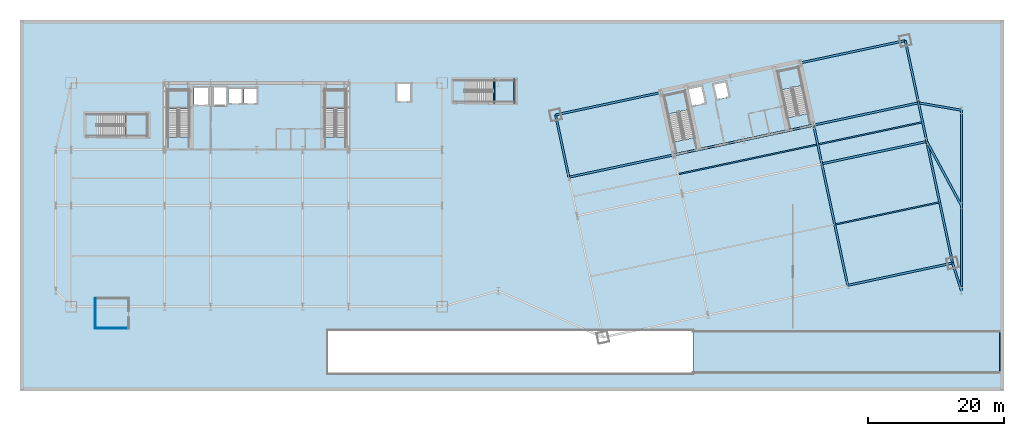
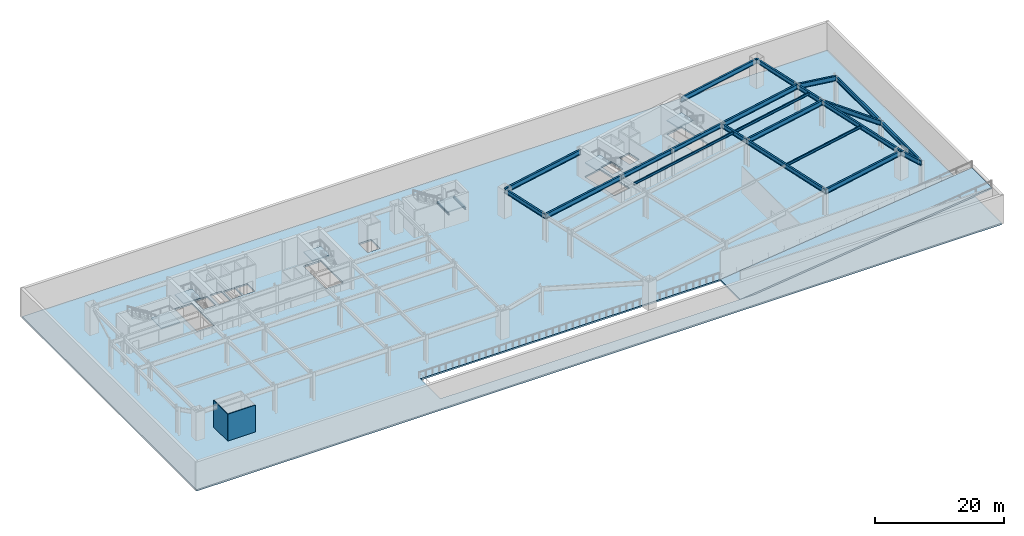
# One storey, part 4 of 16: 24 beams, 8 slabs, 2 walls, 6 elements without a shape of their own.
"""IFC4 building model written with IfcOpenShell, lengths in metres."""

from ifc_helpers import new_model, si_unit, direction, frame, frame_2d, origin, origin_2d, place, context, subcontext, project, spatial, polyline, rectangle, i_section, outline, extrude, material, layer, layer_set, material_profile, profile_set, type_object, element, aggregate, save


model = new_model("IFC4")

# Units and contexts
model_context = context("Model", 3, precision=1e-05, world=origin(), true_north=direction((0.0, 1.0)))
body_context = subcontext(model_context, "Body", "Model", "MODEL_VIEW")
ifc_project = project(units=[si_unit("LENGTHUNIT", "METRE"), si_unit("AREAUNIT", "SQUARE_METRE"), si_unit("VOLUMEUNIT", "CUBIC_METRE"), si_unit("PLANEANGLEUNIT", "RADIAN"), si_unit("MASSUNIT", "GRAM", prefix="KILO")], contexts=[model_context])

# Site, building, storey
site_placement = place(None, origin())
site = spatial("IfcSite", under=ifc_project, at=site_placement, CompositionType="ELEMENT")
building_placement = place(site_placement, origin())
building = spatial("IfcBuilding", under=site, at=building_placement, Name="Haevon Station Towers", CompositionType="ELEMENT")
storey_placement = place(building_placement, frame((0.0, 0.0, -5.39990234375)))
storey = spatial("IfcBuildingStorey", under=building, at=storey_placement, Name="B01", CompositionType="ELEMENT", Elevation=-5.39990234375)

# Beams
ifc_material_1 = material(Name="Steel S355", Category="steel")
ifc_material_profile_1 = material_profile(ifc_material_1, i_section(OverallWidth=0.199951171875, OverallDepth=0.449951171875, WebThickness=0.009033203125, FlangeThickness=0.013916015625, at=origin_2d()), Name="H-450x200x9x14")
ifc_profile_set_1 = profile_set([ifc_material_profile_1], Name="Steel S355")
beam_type_1 = type_object("IfcBeamType", Name="BM-J450", PredefinedType="JOIST", material=ifc_profile_set_1)
beam_1_placement = place(storey_placement, frame((122.504150390625, 27.232666015625, 4.875), z_axis=(0.978149141128, 0.207904443699, 0.0), x_axis=(-0.207904443699, 0.978149141128, 0.0)))
element("IfcBeam", 1, at=beam_1_placement, inside=storey, type_object=beam_type_1, Name="BM-T2J-B01-01-03", PredefinedType="JOIST", context=body_context, shape_type="SweptSolid", body=[
    extrude(i_section(OverallWidth=0.199951171875, OverallDepth=0.449951171875, WebThickness=0.009033203125, FlangeThickness=0.013916015625, at=origin_2d()), origin(), (0.0, 0.0, 1.0), 15.530029296875),
])
beam_2_placement = place(storey_placement, frame((99.462890625, 34.628662109375, 4.875), z_axis=(0.978148548197, 0.207907233306, 0.0), x_axis=(-0.207907233306, 0.978148548197, 0.0)))
element("IfcBeam", 2, at=beam_2_placement, inside=storey, type_object=beam_type_1, Name="BM-T2J-B01-02-02", PredefinedType="JOIST", context=body_context, shape_type="SweptSolid", body=[
    extrude(i_section(OverallWidth=0.199951171875, OverallDepth=0.449951171875, WebThickness=0.009033203125, FlangeThickness=0.013916015625, at=origin_2d()), origin(), (0.0, 0.0, 1.0), 20.780029296875),
])
beam_3_placement = place(storey_placement, frame((120.00390625, 38.994873046875, 4.875), z_axis=(0.978149141128, 0.207904443699, 0.0), x_axis=(-0.207904443699, 0.978149141128, 0.0)))
element("IfcBeam", 3, at=beam_3_placement, inside=storey, type_object=beam_type_1, Name="BM-T2J-B01-02-03", PredefinedType="JOIST", context=body_context, shape_type="SweptSolid", body=[
    extrude(i_section(OverallWidth=0.199951171875, OverallDepth=0.449951171875, WebThickness=0.009033203125, FlangeThickness=0.013916015625, at=origin_2d()), origin(), (0.0, 0.0, 1.0), 15.530029296875),
])
ifc_material_profile_2 = material_profile(ifc_material_1, i_section(OverallWidth=0.14990234375, OverallDepth=0.300048828125, WebThickness=0.006591796875, FlangeThickness=0.009033203125, at=origin_2d()), Name="H-300x150x6.5x9")
ifc_profile_set_2 = profile_set([ifc_material_profile_2], Name="Steel S355")
beam_type_2 = type_object("IfcBeamType", Name="BM-LIN300", PredefinedType="LINTEL", material=ifc_profile_set_2)
for number, where, z_axis, x_axis, name in (
    (4, (72.3740234375, 45.0, 2.349853515625), (0.0, 1.0, 0.0), (-1.0, 0.0, 0.0), "BM-ST6L-B01-1-W"),
    (5, (75.320068359375, 45.0, 2.349853515625), (0.0, 1.0, 0.0), (-1.0, 0.0, 0.0), "BM-ST6L-B01-1-E"),
):
    element("IfcBeam", number, at=place(storey_placement, frame(where, z_axis=z_axis, x_axis=x_axis)), inside=storey, type_object=beam_type_2, Name=name, PredefinedType="LINTEL", context=body_context, shape_type="SweptSolid", body=[
        extrude(i_section(OverallWidth=0.14990234375, OverallDepth=0.300048828125, WebThickness=0.006591796875, FlangeThickness=0.009033203125, at=origin_2d()), origin(), (0.0, 0.0, 1.0), 3.60009765625),
    ])
ifc_material_profile_3 = material_profile(ifc_material_1, i_section(OverallWidth=0.300048828125, OverallDepth=0.800048828125, WebThickness=0.013916015625, FlangeThickness=0.02587890625, at=origin_2d()), Name="H-800x300x14x26")
ifc_profile_set_3 = profile_set([ifc_material_profile_3], Name="Steel S355")
beam_type_3 = type_object("IfcBeamType", Name="BM-PG800", PredefinedType="BEAM", material=ifc_profile_set_3)
for number, where, z_axis, x_axis, name in (
    (6, (98.75244140625, 37.4423828125, 4.699951171875), (0.978146794194, 0.207915485254, 0.0), (-0.207915485254, 0.978146794194, 0.0), "BM-T2U-B01-03-02"),
    (7, (109.02294921875, 39.62548828125, 4.699951171875), (0.978146794194, 0.207915485254, 0.0), (-0.207915485254, 0.978146794194, 0.0), "BM-T2U-B01-03-03"),
):
    element("IfcBeam", number, at=place(storey_placement, frame(where, z_axis=z_axis, x_axis=x_axis)), inside=storey, type_object=beam_type_3, Name=name, PredefinedType="BEAM", context=body_context, shape_type="SweptSolid", body=[
        extrude(i_section(OverallWidth=0.300048828125, OverallDepth=0.800048828125, WebThickness=0.013916015625, FlangeThickness=0.02587890625, at=origin_2d()), origin(), (0.0, 0.0, 1.0), 10.5),
    ])
beam_4_placement = place(storey_placement, frame((83.346435546875, 34.167724609375, 4.699951171875), z_axis=(-0.207897167074, 0.978150687738, 0.0), x_axis=(-0.978150687738, -0.207897167074, 0.0)))
element("IfcBeam", 8, at=beam_4_placement, inside=storey, type_object=beam_type_3, Name="BM-T2V-B01-01-03", PredefinedType="BEAM", context=body_context, shape_type="SweptSolid", body=[
    extrude(i_section(OverallWidth=0.300048828125, OverallDepth=0.800048828125, WebThickness=0.013916015625, FlangeThickness=0.02587890625, at=origin_2d()), origin(), (0.0, 0.0, 1.0), 9.35009765625),
])
beam_5_placement = place(storey_placement, frame((124.293701171875, 18.2841796875, 4.699951171875), z_axis=(-0.207915393978, 0.978146813595, 0.0), x_axis=(-0.978146813595, -0.207915393978, 0.0)))
element("IfcBeam", 9, at=beam_5_placement, inside=storey, type_object=beam_type_3, Name="BM-T2V-B01-04-01", PredefinedType="BEAM", context=body_context, shape_type="SweptSolid", body=[
    extrude(i_section(OverallWidth=0.300048828125, OverallDepth=0.800048828125, WebThickness=0.013916015625, FlangeThickness=0.02587890625, at=origin_2d()), origin(), (0.0, 0.0, 1.0), 18.25),
])
beam_6_placement = place(storey_placement, frame((120.499267578125, 36.13525390625, 4.699951171875), z_axis=(-0.207896009217, 0.97815093383, 0.0), x_axis=(-0.97815093383, -0.207896009217, 0.0)))
element("IfcBeam", 10, at=beam_6_placement, inside=storey, type_object=beam_type_3, Name="BM-T2V-B01-04-02", PredefinedType="BEAM", context=body_context, shape_type="SweptSolid", body=[
    extrude(i_section(OverallWidth=0.300048828125, OverallDepth=0.800048828125, WebThickness=0.013916015625, FlangeThickness=0.02587890625, at=origin_2d()), origin(), (0.0, 0.0, 1.0), 5.800048828125),
])
beam_7_placement = place(storey_placement, frame((139.699462890625, 21.558837890625, 4.699951171875), z_axis=(-0.207902594577, 0.978149534155, 0.0), x_axis=(-0.978149534155, -0.207902594577, 0.0)))
element("IfcBeam", 11, at=beam_7_placement, inside=storey, type_object=beam_type_3, Name="BM-T2V-B01-05-01", PredefinedType="BEAM", context=body_context, shape_type="SweptSolid", body=[
    extrude(i_section(OverallWidth=0.300048828125, OverallDepth=0.800048828125, WebThickness=0.013916015625, FlangeThickness=0.02587890625, at=origin_2d()), origin(), (0.0, 0.0, 1.0), 18.249755859375),
])
beam_8_placement = place(storey_placement, frame((135.9052734375, 39.409912109375, 4.699951171875), z_axis=(-0.207936282142, 0.978142373363, 0.0), x_axis=(-0.978142373363, -0.207936282142, 0.0)))
element("IfcBeam", 12, at=beam_8_placement, inside=storey, type_object=beam_type_3, Name="BM-T2V-B01-05-02", PredefinedType="BEAM", context=body_context, shape_type="SweptSolid", body=[
    extrude(i_section(OverallWidth=0.300048828125, OverallDepth=0.800048828125, WebThickness=0.013916015625, FlangeThickness=0.02587890625, at=origin_2d()), origin(), (0.0, 0.0, 1.0), 5.800048828125),
])
beam_9_placement = place(storey_placement, frame((134.69921875, 45.083251953125, 4.699951171875), z_axis=(-0.207902477038, 0.978149559138, 0.0), x_axis=(-0.978149559138, -0.207902477038, 0.0)))
element("IfcBeam", 13, at=beam_9_placement, inside=storey, type_object=beam_type_3, Name="BM-T2V-B01-05-03", PredefinedType="BEAM", context=body_context, shape_type="SweptSolid", body=[
    extrude(i_section(OverallWidth=0.300048828125, OverallDepth=0.800048828125, WebThickness=0.013916015625, FlangeThickness=0.02587890625, at=origin_2d()), origin(), (0.0, 0.0, 1.0), 9.349853515625),
])
beam_10_placement = place(storey_placement, frame((141.0, 17.5, 4.699951171875), z_axis=(0.0, 1.0, 0.0), x_axis=(-1.0, 0.0, 0.0)))
element("IfcBeam", 14, at=beam_10_placement, inside=storey, type_object=beam_type_3, Name="BM-PODNS-B01-E1", PredefinedType="BEAM", context=body_context, shape_type="SweptSolid", body=[
    extrude(i_section(OverallWidth=0.300048828125, OverallDepth=0.800048828125, WebThickness=0.013916015625, FlangeThickness=0.02587890625, at=origin_2d()), origin(), (0.0, 0.0, 1.0), 12.5),
])
beam_11_placement = place(storey_placement, frame((141.0, 30.0, 4.699951171875), z_axis=(0.0, 1.0, 0.0), x_axis=(-1.0, 0.0, 0.0)))
element("IfcBeam", 15, at=beam_11_placement, inside=storey, type_object=beam_type_3, Name="BM-PODNS-B01-E2", PredefinedType="BEAM", context=body_context, shape_type="SweptSolid", body=[
    extrude(i_section(OverallWidth=0.300048828125, OverallDepth=0.800048828125, WebThickness=0.013916015625, FlangeThickness=0.02587890625, at=origin_2d()), origin(), (0.0, 0.0, 1.0), 14.0),
])
ifc_material_profile_4 = material_profile(ifc_material_1, i_section(OverallWidth=0.300048828125, OverallDepth=0.89990234375, WebThickness=0.01611328125, FlangeThickness=0.028076171875, at=origin_2d()), Name="H-900x300x16x28")
ifc_profile_set_4 = profile_set([ifc_material_profile_4], Name="Steel S355")
beam_type_4 = type_object("IfcBeamType", Name="BM-PG900", PredefinedType="BEAM", material=ifc_profile_set_4)
beam_12_placement = place(storey_placement, frame((124.293701171875, 18.2841796875, 4.64990234375), z_axis=(0.978146794194, 0.207915485254, 0.0), x_axis=(-0.207915485254, 0.978146794194, 0.0)))
element("IfcBeam", 16, at=beam_12_placement, inside=storey, type_object=beam_type_4, Name="BM-T2U-B01-01-04", PredefinedType="BEAM", context=body_context, shape_type="SweptSolid", body=[
    extrude(i_section(OverallWidth=0.300048828125, OverallDepth=0.89990234375, WebThickness=0.01611328125, FlangeThickness=0.028076171875, at=origin_2d()), origin(), (0.0, 0.0, 1.0), 15.75),
])
for number, where, z_axis, x_axis, name in (
    (17, (120.499267578125, 36.13525390625, 4.64990234375), (0.978147464271, 0.207912332825, 0.0), (-0.207912332825, 0.978147464271, 0.0), "BM-T2U-B01-02-04"),
    (18, (83.346435546875, 34.167724609375, 4.64990234375), (0.978147464271, 0.207912332825, 0.0), (-0.207912332825, 0.978147464271, 0.0), "BM-T2U-B01-03-01"),
):
    element("IfcBeam", number, at=place(storey_placement, frame(where, z_axis=z_axis, x_axis=x_axis)), inside=storey, type_object=beam_type_4, Name=name, PredefinedType="BEAM", context=body_context, shape_type="SweptSolid", body=[
        extrude(i_section(OverallWidth=0.300048828125, OverallDepth=0.89990234375, WebThickness=0.01611328125, FlangeThickness=0.028076171875, at=origin_2d()), origin(), (0.0, 0.0, 1.0), 15.750244140625),
    ])
for number, where, z_axis, x_axis, name in (
    (19, (119.29345703125, 41.80859375, 4.64990234375), (0.978146794194, 0.207915485254, 0.0), (-0.207915485254, 0.978146794194, 0.0), "BM-T2U-B01-03-04"),
    (20, (81.402587890625, 43.3134765625, 4.64990234375), (0.978146794194, 0.207915485254, 0.0), (-0.207915485254, 0.978146794194, 0.0), "BM-T2U-B01-04-01"),
):
    element("IfcBeam", number, at=place(storey_placement, frame(where, z_axis=z_axis, x_axis=x_axis)), inside=storey, type_object=beam_type_4, Name=name, PredefinedType="BEAM", context=body_context, shape_type="SweptSolid", body=[
        extrude(i_section(OverallWidth=0.300048828125, OverallDepth=0.89990234375, WebThickness=0.01611328125, FlangeThickness=0.028076171875, at=origin_2d()), origin(), (0.0, 0.0, 1.0), 15.75),
    ])
beam_13_placement = place(storey_placement, frame((117.349365234375, 50.954345703125, 4.64990234375), z_axis=(0.978150616551, 0.207897502008, 0.0), x_axis=(-0.207897502008, 0.978150616551, 0.0)))
element("IfcBeam", 21, at=beam_13_placement, inside=storey, type_object=beam_type_4, Name="BM-T2U-B01-04-04", PredefinedType="BEAM", context=body_context, shape_type="SweptSolid", body=[
    extrude(i_section(OverallWidth=0.300048828125, OverallDepth=0.89990234375, WebThickness=0.01611328125, FlangeThickness=0.028076171875, at=origin_2d()), origin(), (0.0, 0.0, 1.0), 15.750244140625),
])
beam_14_placement = place(storey_placement, frame((139.699462890625, 21.558837890625, 4.64990234375), z_axis=(0.305139430983, -0.952307685393, 0.0), x_axis=(0.952307685393, 0.305139430983, 0.0)))
element("IfcBeam", 22, at=beam_14_placement, inside=storey, type_object=beam_type_4, Name="BM-PODE-B01-1", PredefinedType="BEAM", context=body_context, shape_type="SweptSolid", body=[
    extrude(i_section(OverallWidth=0.300048828125, OverallDepth=0.89990234375, WebThickness=0.01611328125, FlangeThickness=0.028076171875, at=origin_2d()), origin(), (0.0, 0.0, 1.0), 4.26220703125),
])
beam_15_placement = place(storey_placement, frame((135.9052734375, 39.409912109375, 4.64990234375), z_axis=(0.476116295025, -0.879382325051, 0.0), x_axis=(0.879382325051, 0.476116295025, 0.0)))
element("IfcBeam", 23, at=beam_15_placement, inside=storey, type_object=beam_type_4, Name="BM-PODE-B01-2", PredefinedType="BEAM", context=body_context, shape_type="SweptSolid", body=[
    extrude(i_section(OverallWidth=0.300048828125, OverallDepth=0.89990234375, WebThickness=0.01611328125, FlangeThickness=0.028076171875, at=origin_2d()), origin(), (0.0, 0.0, 1.0), 10.70068359375),
])
beam_16_placement = place(storey_placement, frame((134.69921875, 45.083251953125, 4.64990234375), z_axis=(0.985540920751, -0.169437580028, 0.0), x_axis=(0.169437580028, 0.985540920751, 0.0)))
element("IfcBeam", 24, at=beam_16_placement, inside=storey, type_object=beam_type_4, Name="BM-PODE-B01-3", PredefinedType="BEAM", context=body_context, shape_type="SweptSolid", body=[
    extrude(i_section(OverallWidth=0.300048828125, OverallDepth=0.89990234375, WebThickness=0.01611328125, FlangeThickness=0.028076171875, at=origin_2d()), origin(), (0.0, 0.0, 1.0), 6.393310546875),
])

# Stair, slab
ifc_material_2 = material(Name="Concrete C40/50", Category="concrete")
stair_type_1 = type_object("IfcStairType", Name="STR-DL1450", PredefinedType="USERDEFINED", material=ifc_material_2)
stair_1_placement = place(storey_placement, origin())
stair_1 = element("IfcStair", 25, at=stair_1_placement, inside=storey, type_object=stair_type_1, Name="B01 Escape Stair ST1", ObjectType="TWO_RETURN_STAIR", PredefinedType="USERDEFINED")
ifc_layer_1 = layer(ifc_material_2, 0.199951171875)
ifc_layer_set_1 = layer_set([ifc_layer_1], Name="Concrete C40/50")
slab_type_1 = type_object("IfcSlabType", Name="SL-LND200", PredefinedType="LANDING", material=ifc_layer_set_1)
slab_1_placement = place(storey_placement, frame((0.0, 0.0, 2.5)))
slab_1 = element("IfcSlab", 26, at=slab_1_placement, type_object=slab_type_1, Name="B01 ST1 Half Landing 1", PredefinedType="LANDING", context=body_context, shape_type="SweptSolid", body=[
    extrude(outline(polyline([(27.580078125, 44.243896484375), (27.580078125, 47.0), (24.47998046875, 47.0), (24.47998046875, 44.243896484375), (27.580078125, 44.243896484375)])), origin(), (0.0, 0.0, 1.0), 0.199951171875),
])
aggregate(stair_1, [slab_1])

stair_2_placement = place(storey_placement, origin())
stair_2 = element("IfcStair", 27, at=stair_2_placement, inside=storey, type_object=stair_type_1, Name="B01 Escape Stair ST2", ObjectType="TWO_RETURN_STAIR", PredefinedType="USERDEFINED")
slab_2_placement = place(storey_placement, frame((0.0, 0.0, 2.5)))
slab_2 = element("IfcSlab", 28, at=slab_2_placement, type_object=slab_type_1, Name="B01 ST2 Half Landing 1", PredefinedType="LANDING", context=body_context, shape_type="SweptSolid", body=[
    extrude(outline(polyline([(50.6201171875, 44.243896484375), (50.6201171875, 47.0), (47.52001953125, 47.0), (47.52001953125, 44.243896484375), (50.6201171875, 44.243896484375)])), origin(), (0.0, 0.0, 1.0), 0.199951171875),
])
aggregate(stair_2, [slab_2])

stair_3_placement = place(storey_placement, origin())
stair_3 = element("IfcStair", 29, at=stair_3_placement, inside=storey, type_object=stair_type_1, Name="B01 Escape Stair ST3", ObjectType="TWO_RETURN_STAIR", PredefinedType="USERDEFINED")
slab_3_placement = place(storey_placement, frame((0.0, 0.0, 2.5)))
slab_3 = element("IfcSlab", 30, at=slab_3_placement, type_object=slab_type_1, Name="B01 ST3 Half Landing 1", PredefinedType="LANDING", context=body_context, shape_type="SweptSolid", body=[
    extrude(outline(polyline([(100.938720703125, 44.086181640625), (100.36572265625, 46.781982421875), (97.33349609375, 46.137451171875), (97.906494140625, 43.441650390625), (100.938720703125, 44.086181640625)])), origin(), (0.0, 0.0, 1.0), 0.199951171875),
])
aggregate(stair_3, [slab_3])

stair_4_placement = place(storey_placement, origin())
stair_4 = element("IfcStair", 31, at=stair_4_placement, inside=storey, type_object=stair_type_1, Name="B01 Escape Stair ST4", ObjectType="TWO_RETURN_STAIR", PredefinedType="USERDEFINED")
slab_4_placement = place(storey_placement, frame((0.0, 0.0, 2.5)))
slab_4 = element("IfcSlab", 32, at=slab_4_placement, type_object=slab_type_1, Name="B01 ST4 Half Landing 1", PredefinedType="LANDING", context=body_context, shape_type="SweptSolid", body=[
    extrude(outline(polyline([(117.6259765625, 47.633056640625), (117.052978515625, 50.328857421875), (114.020751953125, 49.684326171875), (114.59375, 46.988525390625), (117.6259765625, 47.633056640625)])), origin(), (0.0, 0.0, 1.0), 0.199951171875),
])
aggregate(stair_4, [slab_4])

stair_type_2 = type_object("IfcStairType", Name="STR-DL1500", PredefinedType="USERDEFINED", material=ifc_material_2)
stair_5_placement = place(storey_placement, origin())
stair_5 = element("IfcStair", 33, at=stair_5_placement, inside=storey, type_object=stair_type_2, Name="B01 Escape Stair ST5", ObjectType="TWO_RETURN_STAIR", PredefinedType="USERDEFINED")
slab_5_placement = place(storey_placement, frame((0.0, 0.0, 2.5)))
slab_5 = element("IfcSlab", 34, at=slab_5_placement, type_object=slab_type_1, Name="B01 ST5 Half Landing 1", PredefinedType="LANDING", context=body_context, shape_type="SweptSolid", body=[
    extrude(outline(polyline([(18.194091796875, 40.199951171875), (21.5, 40.199951171875), (21.5, 43.39990234375), (18.194091796875, 43.39990234375), (18.194091796875, 40.199951171875)])), origin(), (0.0, 0.0, 1.0), 0.199951171875),
])
aggregate(stair_5, [slab_5])

stair_6_placement = place(storey_placement, origin())
stair_6 = element("IfcStair", 35, at=stair_6_placement, inside=storey, type_object=stair_type_2, Name="B01 Escape Stair ST6", ObjectType="TWO_RETURN_STAIR", PredefinedType="USERDEFINED")
slab_6_placement = place(storey_placement, frame((0.0, 0.0, 2.5)))
slab_6 = element("IfcSlab", 36, at=slab_6_placement, type_object=slab_type_1, Name="B01 ST6 Half Landing 1", PredefinedType="LANDING", context=body_context, shape_type="SweptSolid", body=[
    extrude(outline(polyline([(72.194091796875, 45.199951171875), (75.5, 45.199951171875), (75.5, 48.39990234375), (72.194091796875, 48.39990234375), (72.194091796875, 45.199951171875)])), origin(), (0.0, 0.0, 1.0), 0.199951171875),
])
aggregate(stair_6, [slab_6])

# Slabs
ifc_layer_2 = layer(ifc_material_2, 0.300048828125)
ifc_layer_set_2 = layer_set([ifc_layer_2], Name="Concrete C40/50")
slab_type_2 = type_object("IfcSlabType", Name="SL-POD300", PredefinedType="FLOOR", material=ifc_layer_set_2)
slab_7_placement = place(storey_placement, frame((0.0, 0.0, -0.300048828125)))
element("IfcSlab", 37, at=slab_7_placement, inside=storey, type_object=slab_type_2, Name="SL-POD-B01", PredefinedType="FLOOR", context=body_context, shape_type="SweptSolid", body=[
    extrude(outline(polyline([(3.0, 3.0), (147.0, 3.0), (147.0, 57.0), (3.0, 57.0), (3.0, 3.0)]), holes=[polyline([(48.0, 5.39990234375), (101.60009765625, 5.39990234375), (101.60009765625, 11.60009765625), (48.0, 11.60009765625), (48.0, 5.39990234375)]), polyline([(27.580078125, 40.055908203125), (27.580078125, 47.0), (24.47998046875, 47.0), (24.47998046875, 40.055908203125), (27.580078125, 40.055908203125)]), polyline([(50.6201171875, 40.055908203125), (50.6201171875, 47.0), (47.52001953125, 47.0), (47.52001953125, 40.055908203125), (50.6201171875, 40.055908203125)]), polyline([(101.8095703125, 39.98974609375), (100.36572265625, 46.781982421875), (97.33349609375, 46.137451171875), (98.77734375, 39.34521484375), (101.8095703125, 39.98974609375)]), polyline([(118.496826171875, 43.53662109375), (117.052978515625, 50.328857421875), (114.020751953125, 49.684326171875), (115.464599609375, 42.89208984375), (118.496826171875, 43.53662109375)]), polyline([(28.300048828125, 44.699951171875), (30.5, 44.699951171875), (30.5, 47.39990234375), (28.300048828125, 47.39990234375), (28.300048828125, 44.699951171875)]), polyline([(101.43212890625, 44.554931640625), (103.486328125, 44.99169921875), (102.9248046875, 47.632568359375), (100.870849609375, 47.196044921875), (101.43212890625, 44.554931640625)]), polyline([(31.050048828125, 44.60009765625), (33.14990234375, 44.60009765625), (33.14990234375, 47.5), (31.050048828125, 47.5), (31.050048828125, 44.60009765625)]), polyline([(33.39990234375, 44.89990234375), (35.39990234375, 44.89990234375), (35.39990234375, 47.300048828125), (33.39990234375, 47.300048828125), (33.39990234375, 44.89990234375)]), polyline([(35.64990234375, 44.89990234375), (37.64990234375, 44.89990234375), (37.64990234375, 47.300048828125), (35.64990234375, 47.300048828125), (35.64990234375, 44.89990234375)]), polyline([(105.009765625, 45.519775390625), (106.966064453125, 45.935791015625), (106.467041015625, 48.283203125), (104.5107421875, 47.867431640625), (105.009765625, 45.519775390625)]), polyline([(58.0, 45.199951171875), (60.199951171875, 45.199951171875), (60.199951171875, 48.0), (58.0, 48.0), (58.0, 45.199951171875)])]), origin(), (0.0, 0.0, 1.0), 0.300048828125),
])
ifc_layer_3 = layer(ifc_material_2, 0.300048828125)
ifc_layer_set_3 = layer_set([ifc_layer_3], Name="Concrete C40/50")
slab_type_3 = type_object("IfcSlabType", Name="SL-RMP300", PredefinedType="FLOOR", material=ifc_layer_set_3)
slab_8_placement = place(storey_placement, frame((101.60009765625, 5.39990234375, 0.0), z_axis=(-0.119143096524, 0.0, 0.992877093376), x_axis=(0.992877093376, 0.0, 0.119143096524)))
element("IfcSlab", 38, at=slab_8_placement, inside=storey, type_object=slab_type_3, Name="Car park vehicle ramp R1 upper structural slab to street gate", PredefinedType="FLOOR", context=body_context, shape_type="SweptSolid", body=[
    extrude(outline(polyline([(0.0, 0.0), (45.32275390625, 0.0), (45.32275390625, 6.2001953125), (0.0, 6.2001953125), (0.0, 0.0)])), origin(), (0.0, 0.0, -1.0), 0.300048828125),
])

# Walls
ifc_material_3 = material(Name="Gypsum board on steel stud", Category="steel")
ifc_layer_4 = layer(ifc_material_3, 0.139892578125)
ifc_layer_set_4 = layer_set([ifc_layer_4], Name="Gypsum board on steel stud")
wall_type = type_object("IfcWallType", Name="WL-PRT140", PredefinedType="PARTITIONING", material=ifc_layer_set_4)
wall_1_placement = place(storey_placement, frame((13.800048828125, 12.0, 0.0), z_axis=(0.0, 0.0, 1.0), x_axis=(0.0, 1.0, 0.0)))
element("IfcWall", 39, at=wall_1_placement, inside=storey, type_object=wall_type, Name="WL-B01-WCW", PredefinedType="PARTITIONING", context=body_context, shape_type="SweptSolid", body=[
    extrude(rectangle(XDim=4.39990234375, YDim=0.139892578125, at=frame_2d((2.199951171875, 0.0))), origin(), (0.0, 0.0, 1.0), 5.079833984375),
])
wall_2_placement = place(storey_placement, frame((13.800048828125, 12.0, 0.0), z_axis=(0.0, 0.0, 1.0), x_axis=(1.0, 0.0, 0.0)))
element("IfcWall", 40, at=wall_2_placement, inside=storey, type_object=wall_type, Name="WL-B01-WCS", PredefinedType="PARTITIONING", context=body_context, shape_type="SweptSolid", body=[
    extrude(rectangle(XDim=4.89990234375, YDim=0.139892578125, at=frame_2d((2.449951171875, 0.0))), origin(), (0.0, 0.0, 1.0), 5.079833984375),
])

save(model, "model.ifc")
